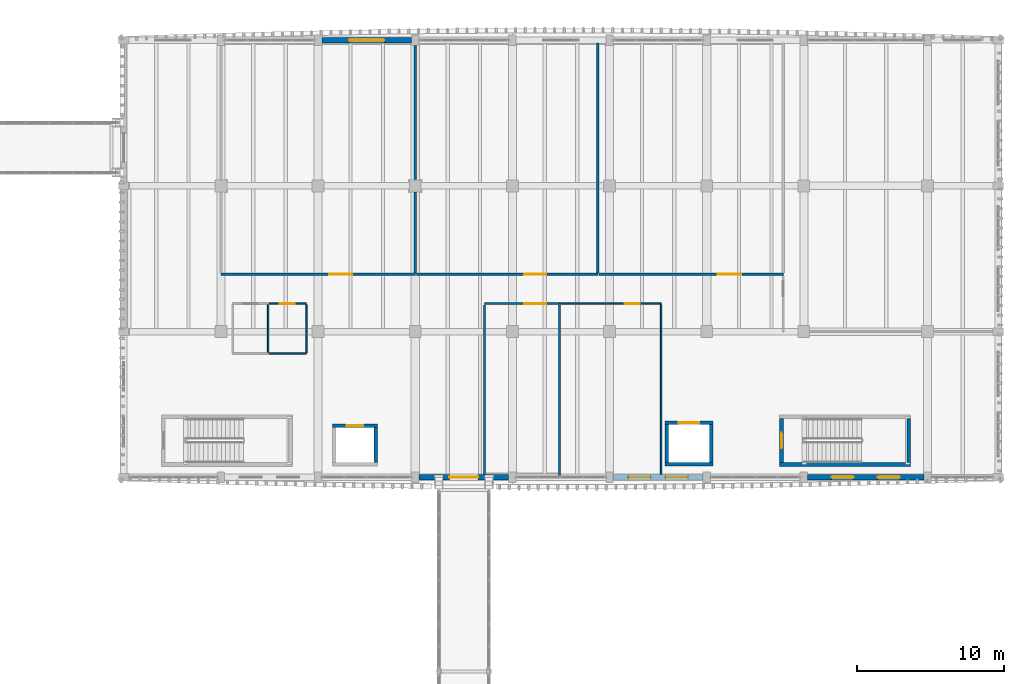
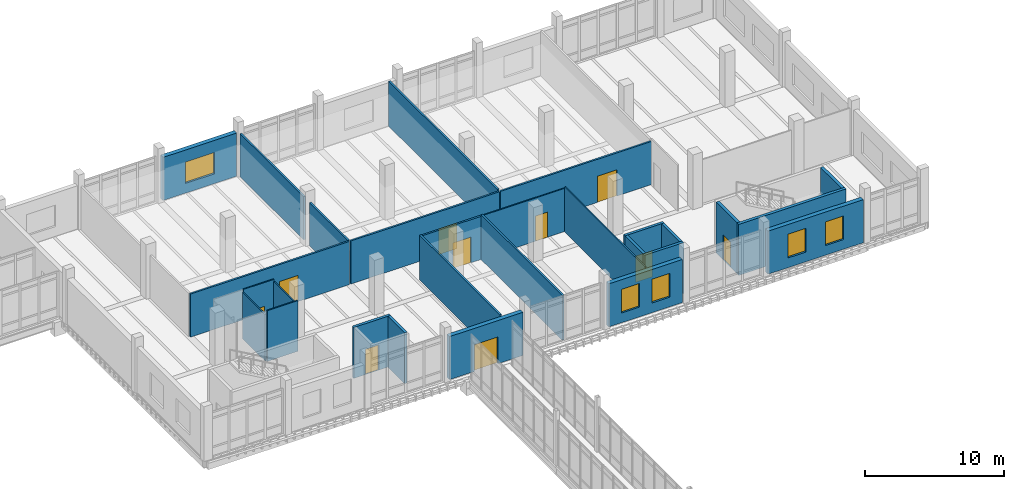
# One storey, part 97 of 125: 28 walls, 10 doors, 5 windows, 15 openings.
"""IFC4 building model written with IfcOpenShell, lengths in metres."""

from ifc_helpers import new_model, si_unit, direction, frame, frame_2d, origin, place, context, subcontext, project, spatial, rectangle, extrude, material, layer, layer_set, type_object, element, fill, save


model = new_model("IFC4")

# Units and contexts
model_context = context("Model", 3, precision=1e-05, world=origin(), true_north=direction((0.0, 1.0)))
body_context = subcontext(model_context, "Body", "Model", "MODEL_VIEW")
ifc_project = project(units=[si_unit("LENGTHUNIT", "METRE"), si_unit("AREAUNIT", "SQUARE_METRE"), si_unit("VOLUMEUNIT", "CUBIC_METRE"), si_unit("PLANEANGLEUNIT", "RADIAN"), si_unit("MASSUNIT", "GRAM", prefix="KILO")], contexts=[model_context])

# Site, building, storey
site_placement = place(None, origin())
site = spatial("IfcSite", under=ifc_project, at=site_placement, CompositionType="ELEMENT")
building_placement = place(site_placement, origin())
building = spatial("IfcBuilding", under=site, at=building_placement, Name="Dornvale Research Institute", CompositionType="ELEMENT")
storey_placement = place(building_placement, frame((0.0, 0.0, 5.39990234375)))
storey = spatial("IfcBuildingStorey", under=building, at=storey_placement, Name="L01", CompositionType="ELEMENT", Elevation=5.39990234375)

# Wall, opening, door
ifc_material_1 = material(Name="Acoustic Insulated Double-Stud Laboratory Partition")
ifc_layer_1 = layer(ifc_material_1, 0.14990234375)
ifc_layer_set_1 = layer_set([ifc_layer_1], Name="Acoustic Insulated Double-Stud Laboratory Partition")
wall_type_1 = type_object("IfcWallType", Name="Partition_Lab_150", PredefinedType="PARTITIONING", material=ifc_layer_set_1)
wall_1_placement = place(storey_placement, frame((125.39990234375, 106.199951171875, 0.0), z_axis=(0.0, 0.0, 1.0), x_axis=(1.0, 0.0, 0.0)))
wall_1 = element("IfcWall", 1, at=wall_1_placement, inside=storey, type_object=wall_type_1, Name="L01 V4 interior partition #187", PredefinedType="PARTITIONING", context=body_context, shape_type="SweptSolid", body=[
    extrude(rectangle(XDim=13.2001953125, YDim=0.14990234375, at=frame_2d((6.60009765625, 0.0))), origin(), (0.0, 0.0, 1.0), 3.780029296875),
])
opening_1_placement = place(wall_1_placement, frame((7.3701171875, 0.0, 0.0)))
opening_1 = element("IfcOpeningElement", 2, at=opening_1_placement, cuts=wall_1, Name="Opening ID-05", PredefinedType="OPENING", context=body_context, shape_type="SweptSolid", body=[
    extrude(rectangle(XDim=1.56005859375, YDim=2.300048828125, at=frame_2d((0.780029296875, 1.14990234375))), frame((0.0, 0.08984375, 0.0), z_axis=(0.0, -1.0, 0.0), x_axis=(1.0, 0.0, 0.0)), (0.0, 0.0, 1.0), 0.179931640625),
])
ifc_material_2 = material(Name="Insulated Fire-Rated Hollow Metal Door Assembly")
door_type_1 = type_object("IfcDoorType", Name="Door_WetLab_1560x2300", OperationType="SINGLE_SWING_LEFT", PredefinedType="DOOR", material=ifc_material_2)
door_1_placement = place(opening_1_placement, origin())
door_1 = element("IfcDoor", 3, at=door_1_placement, inside=storey, type_object=door_type_1, Name="L01 Organic Chemistry Synthesis Laboratory door #77", OperationType="SINGLE_SWING_RIGHT", OverallHeight=2.300048828125, OverallWidth=1.56005859375, PredefinedType="DOOR", context=body_context, shape_type="SweptSolid", body=[
    extrude(rectangle(XDim=1.56005859375, YDim=2.300048828125, at=frame_2d((0.780029296875, 1.14990234375))), frame((0.0, 0.02490234375, 0.0), z_axis=(0.0, -1.0, 0.0), x_axis=(1.0, 0.0, 0.0)), (0.0, 0.0, 1.0), 0.050048828125),
])
fill(opening_1, door_1)

# Walls
wall_2_placement = place(storey_placement, frame((138.60009765625, 106.2900390625, 0.0), z_axis=(0.0, 0.0, 1.0), x_axis=(0.0, 1.0, 0.0)))
element("IfcWall", 4, at=wall_2_placement, inside=storey, type_object=wall_type_1, Name="L01 V4 interior partition #190", PredefinedType="PARTITIONING", context=body_context, shape_type="SweptSolid", body=[
    extrude(rectangle(XDim=5.489990234375, YDim=0.14990234375, at=frame_2d((2.7451171875, 0.0))), origin(), (0.0, 0.0, 1.0), 3.780029296875),
])
wall_3_placement = place(storey_placement, frame((138.60009765625, 112.6201171875, 0.0), z_axis=(0.0, 0.0, 1.0), x_axis=(0.0, 1.0, 0.0)))
element("IfcWall", 5, at=wall_3_placement, inside=storey, type_object=wall_type_1, Name="L01 V4 interior partition #191", PredefinedType="PARTITIONING", context=body_context, shape_type="SweptSolid", body=[
    extrude(rectangle(XDim=9.10986328125, YDim=0.14990234375, at=frame_2d((4.554931640625, 0.0))), origin(), (0.0, 0.0, 1.0), 3.780029296875),
])

# Wall, opening, door
wall_4_placement = place(storey_placement, frame((138.68994140625, 106.199951171875, 0.0), z_axis=(0.0, 0.0, 1.0), x_axis=(1.0, 0.0, 0.0)))
wall_4 = element("IfcWall", 6, at=wall_4_placement, inside=storey, type_object=wall_type_1, Name="L01 V4 interior partition #192", PredefinedType="PARTITIONING", context=body_context, shape_type="SweptSolid", body=[
    extrude(rectangle(XDim=12.31005859375, YDim=0.14990234375, at=frame_2d((6.155029296875, 0.0))), origin(), (0.0, 0.0, 1.0), 3.780029296875),
])
opening_2_placement = place(wall_4_placement, frame((7.31005859375, 0.0, 0.0)))
opening_2 = element("IfcOpeningElement", 7, at=opening_2_placement, cuts=wall_4, Name="Opening ID-06", PredefinedType="OPENING", context=body_context, shape_type="SweptSolid", body=[
    extrude(rectangle(XDim=1.5, YDim=2.25, at=frame_2d((0.75, 1.125))), frame((0.0, 0.08984375, 0.0), z_axis=(0.0, -1.0, 0.0), x_axis=(1.0, 0.0, 0.0)), (0.0, 0.0, 1.0), 0.179931640625),
])
ifc_material_3 = material(Name="Insulated Fire-Rated Hollow Metal Door Assembly")
door_type_2 = type_object("IfcDoorType", Name="Door_WetLab_1500x2250", OperationType="SINGLE_SWING_LEFT", PredefinedType="DOOR", material=ifc_material_3)
door_2_placement = place(opening_2_placement, origin())
door_2 = element("IfcDoor", 8, at=door_2_placement, inside=storey, type_object=door_type_2, Name="L01 Analytical Chromatography Core Laboratory door #78", OperationType="SINGLE_SWING_LEFT", OverallHeight=2.25, OverallWidth=1.5, PredefinedType="DOOR", context=body_context, shape_type="SweptSolid", body=[
    extrude(rectangle(XDim=1.5, YDim=2.25, at=frame_2d((0.75, 1.125))), frame((0.0, 0.02490234375, 0.0), z_axis=(0.0, -1.0, 0.0), x_axis=(1.0, 0.0, 0.0)), (0.0, 0.0, 1.0), 0.050048828125),
])
fill(opening_2, door_2)

# Wall
wall_5_placement = place(storey_placement, frame((151.0, 106.2900390625, 0.0), z_axis=(0.0, 0.0, 1.0), x_axis=(0.0, 1.0, 0.0)))
element("IfcWall", 9, at=wall_5_placement, inside=storey, type_object=wall_type_1, Name="L01 V4 interior partition #193", PredefinedType="PARTITIONING", context=body_context, shape_type="SweptSolid", body=[
    extrude(rectangle(XDim=15.614990234375, YDim=0.14990234375, at=frame_2d((7.8076171875, 0.0))), origin(), (0.0, 0.0, 1.0), 3.93017578125),
])

# Wall, opening, door
wall_6_placement = place(storey_placement, frame((151.090087890625, 106.199951171875, 0.0), z_axis=(0.0, 0.0, 1.0), x_axis=(1.0, 0.0, 0.0)))
wall_6 = element("IfcWall", 10, at=wall_6_placement, inside=storey, type_object=wall_type_1, Name="L01 V4 interior partition #194", PredefinedType="PARTITIONING", context=body_context, shape_type="SweptSolid", body=[
    extrude(rectangle(XDim=12.510009765625, YDim=0.14990234375, at=frame_2d((6.2548828125, 0.0))), origin(), (0.0, 0.0, 1.0), 3.780029296875),
])
opening_3_placement = place(wall_6_placement, frame((8.050048828125, 0.0, 0.0)))
opening_3 = element("IfcOpeningElement", 11, at=opening_3_placement, cuts=wall_6, Name="Opening ID-04", PredefinedType="OPENING", context=body_context, shape_type="SweptSolid", body=[
    extrude(rectangle(XDim=1.6201171875, YDim=2.300048828125, at=frame_2d((0.81005859375, 1.14990234375))), frame((0.0, 0.08984375, 0.0), z_axis=(0.0, -1.0, 0.0), x_axis=(1.0, 0.0, 0.0)), (0.0, 0.0, 1.0), 0.179931640625),
])
ifc_material_4 = material(Name="Insulated Fire-Rated Hollow Metal Door Assembly")
door_type_3 = type_object("IfcDoorType", Name="Door_WetLab_1620x2300", OperationType="SINGLE_SWING_LEFT", PredefinedType="DOOR", material=ifc_material_4)
door_3_placement = place(opening_3_placement, origin())
door_3 = element("IfcDoor", 12, at=door_3_placement, inside=storey, type_object=door_type_3, Name="L01 Tissue Culture BSL-2 Suite door #79", OperationType="SINGLE_SWING_RIGHT", OverallHeight=2.300048828125, OverallWidth=1.6201171875, PredefinedType="DOOR", context=body_context, shape_type="SweptSolid", body=[
    extrude(rectangle(XDim=1.6201171875, YDim=2.300048828125, at=frame_2d((0.81005859375, 1.14990234375))), frame((0.0, 0.02490234375, 0.0), z_axis=(0.0, -1.0, 0.0), x_axis=(1.0, 0.0, 0.0)), (0.0, 0.0, 1.0), 0.050048828125),
])
fill(opening_3, door_3)

wall_7_placement = place(storey_placement, frame((143.300048828125, 104.199951171875, 0.0), z_axis=(0.0, 0.0, 1.0), x_axis=(1.0, 0.0, 0.0)))
wall_7 = element("IfcWall", 13, at=wall_7_placement, inside=storey, type_object=wall_type_1, Name="L01 V4 interior partition #199", PredefinedType="PARTITIONING", context=body_context, shape_type="SweptSolid", body=[
    extrude(rectangle(XDim=5.099853515625, YDim=0.14990234375, at=frame_2d((2.5498046875, 0.0))), origin(), (0.0, 0.0, 1.0), 3.780029296875),
])
opening_4_placement = place(wall_7_placement, frame((2.699951171875, 0.0, 0.0)))
opening_4 = element("IfcOpeningElement", 14, at=opening_4_placement, cuts=wall_7, Name="Opening ID-06", PredefinedType="OPENING", context=body_context, shape_type="SweptSolid", body=[
    extrude(rectangle(XDim=1.5, YDim=2.25, at=frame_2d((0.75, 1.125))), frame((0.0, 0.08984375, 0.0), z_axis=(0.0, -1.0, 0.0), x_axis=(1.0, 0.0, 0.0)), (0.0, 0.0, 1.0), 0.179931640625),
])
door_4_placement = place(opening_4_placement, origin())
door_4 = element("IfcDoor", 15, at=door_4_placement, inside=storey, type_object=door_type_2, Name="L01 Laboratory Instrument Support Room L01 door #81", OperationType="SINGLE_SWING_RIGHT", OverallHeight=2.25, OverallWidth=1.5, PredefinedType="DOOR", context=body_context, shape_type="SweptSolid", body=[
    extrude(rectangle(XDim=1.5, YDim=2.25, at=frame_2d((0.75, 1.125))), frame((0.0, 0.02490234375, 0.0), z_axis=(0.0, -1.0, 0.0), x_axis=(1.0, 0.0, 0.0)), (0.0, 0.0, 1.0), 0.050048828125),
])
fill(opening_4, door_4)

# Walls
wall_8_placement = place(storey_placement, frame((143.300048828125, 92.594970703125, 0.0), z_axis=(0.0, 0.0, 1.0), x_axis=(0.0, 1.0, 0.0)))
element("IfcWall", 16, at=wall_8_placement, inside=storey, type_object=wall_type_1, Name="L01 V4 interior partition #200", PredefinedType="PARTITIONING", context=body_context, shape_type="SweptSolid", body=[
    extrude(rectangle(XDim=11.51513671875, YDim=0.14990234375, at=frame_2d((5.757568359375, 0.0))), origin(), (0.0, 0.0, 1.0), 3.93017578125),
])
wall_9_placement = place(storey_placement, frame((148.39990234375, 92.43994140625, 0.0), z_axis=(0.0, 0.0, 1.0), x_axis=(0.0, 1.0, 0.0)))
element("IfcWall", 17, at=wall_9_placement, inside=storey, type_object=wall_type_1, Name="L01 V4 interior partition #201", PredefinedType="PARTITIONING", context=body_context, shape_type="SweptSolid", body=[
    extrude(rectangle(XDim=11.670166015625, YDim=0.14990234375, at=frame_2d((5.8349609375, 0.0))), origin(), (0.0, 0.0, 1.0), 3.93017578125),
])
ifc_material_5 = material(Name="Acoustic Insulated Double-Stud Laboratory Partition")
ifc_layer_2 = layer(ifc_material_5, 0.10009765625)
ifc_layer_set_2 = layer_set([ifc_layer_2], Name="Acoustic Insulated Double-Stud Laboratory Partition")
wall_type_2 = type_object("IfcWallType", Name="Partition_Office_100", PredefinedType="PARTITIONING", material=ifc_layer_set_2)
wall_10_placement = place(storey_placement, frame((128.60009765625, 100.864990234375, 0.0), z_axis=(0.0, 0.0, 1.0), x_axis=(0.0, 1.0, 0.0)))
element("IfcWall", 18, at=wall_10_placement, inside=storey, type_object=wall_type_2, Name="L01 V4 interior partition #183", PredefinedType="PARTITIONING", context=body_context, shape_type="SweptSolid", body=[
    extrude(rectangle(XDim=3.27001953125, YDim=0.10009765625, at=frame_2d((1.635009765625, 0.0))), origin(), (0.0, 0.0, 1.0), 4.065185546875),
])
wall_11_placement = place(storey_placement, frame((128.6650390625, 100.800048828125, 0.0), z_axis=(0.0, 0.0, 1.0), x_axis=(1.0, 0.0, 0.0)))
element("IfcWall", 19, at=wall_11_placement, inside=storey, type_object=wall_type_2, Name="L01 V4 interior partition #184", PredefinedType="PARTITIONING", context=body_context, shape_type="SweptSolid", body=[
    extrude(rectangle(XDim=2.534912109375, YDim=0.10009765625, at=frame_2d((1.267578125, 0.0))), origin(), (0.0, 0.0, 1.0), 4.440185546875),
])

# Wall, opening, door
wall_12_placement = place(storey_placement, frame((128.6650390625, 104.199951171875, 0.0), z_axis=(0.0, 0.0, 1.0), x_axis=(1.0, 0.0, 0.0)))
wall_12 = element("IfcWall", 20, at=wall_12_placement, inside=storey, type_object=wall_type_2, Name="L01 V4 interior partition #185", PredefinedType="PARTITIONING", context=body_context, shape_type="SweptSolid", body=[
    extrude(rectangle(XDim=2.534912109375, YDim=0.10009765625, at=frame_2d((1.267578125, 0.0))), origin(), (0.0, 0.0, 1.0), 4.2451171875),
])
opening_5_placement = place(wall_12_placement, frame((0.735107421875, 0.0, 0.0)))
opening_5 = element("IfcOpeningElement", 21, at=opening_5_placement, cuts=wall_12, Name="Opening ID-24", PredefinedType="OPENING", context=body_context, shape_type="SweptSolid", body=[
    extrude(rectangle(XDim=1.0, YDim=2.14990234375, at=frame_2d((0.5, 1.074951171875))), frame((0.0, 0.06494140625, 0.0), z_axis=(0.0, -1.0, 0.0), x_axis=(1.0, 0.0, 0.0)), (0.0, 0.0, 1.0), 0.130126953125),
])
ifc_material_6 = material(Name="Phenolic-Faced Solid-Core Laboratory Door Assembly")
door_type_4 = type_object("IfcDoorType", Name="Door_AccWC_1000x2150", OperationType="SINGLE_SWING_LEFT", PredefinedType="DOOR", material=ifc_material_6)
door_5_placement = place(opening_5_placement, origin())
door_5 = element("IfcDoor", 22, at=door_5_placement, inside=storey, type_object=door_type_4, Name="L01 Wet Wing Female and Accessible Restroom L01 door #76", OperationType="SINGLE_SWING_LEFT", OverallHeight=2.14990234375, OverallWidth=1.0, PredefinedType="DOOR", context=body_context, shape_type="SweptSolid", body=[
    extrude(rectangle(XDim=1.0, YDim=2.14990234375, at=frame_2d((0.5, 1.074951171875))), frame((0.0, 0.02490234375, 0.0), z_axis=(0.0, -1.0, 0.0), x_axis=(1.0, 0.0, 0.0)), (0.0, 0.0, 1.0), 0.050048828125),
])
fill(opening_5, door_5)

# Wall
wall_13_placement = place(storey_placement, frame((131.199951171875, 100.864990234375, 0.0), z_axis=(0.0, 0.0, 1.0), x_axis=(0.0, 1.0, 0.0)))
element("IfcWall", 23, at=wall_13_placement, inside=storey, type_object=wall_type_2, Name="L01 V4 interior partition #186", PredefinedType="PARTITIONING", context=body_context, shape_type="SweptSolid", body=[
    extrude(rectangle(XDim=3.27001953125, YDim=0.10009765625, at=frame_2d((1.635009765625, 0.0))), origin(), (0.0, 0.0, 1.0), 4.065185546875),
])

# Wall, opening, door
wall_14_placement = place(storey_placement, frame((148.4150390625, 104.199951171875, 0.0), z_axis=(0.0, 0.0, 1.0), x_axis=(1.0, 0.0, 0.0)))
wall_14 = element("IfcWall", 24, at=wall_14_placement, inside=storey, type_object=wall_type_2, Name="L01 V4 interior partition #202", PredefinedType="PARTITIONING", context=body_context, shape_type="SweptSolid", body=[
    extrude(rectangle(XDim=6.885009765625, YDim=0.10009765625, at=frame_2d((3.4423828125, 0.0))), origin(), (0.0, 0.0, 1.0), 3.780029296875),
])
opening_6_placement = place(wall_14_placement, frame((4.425048828125, 0.0, 0.0)))
opening_6 = element("IfcOpeningElement", 25, at=opening_6_placement, cuts=wall_14, Name="Opening ID-20", PredefinedType="OPENING", context=body_context, shape_type="SweptSolid", body=[
    extrude(rectangle(XDim=1.02001953125, YDim=2.199951171875, at=frame_2d((0.510009765625, 1.10009765625))), frame((0.0, 0.06494140625, 0.0), z_axis=(0.0, -1.0, 0.0), x_axis=(1.0, 0.0, 0.0)), (0.0, 0.0, 1.0), 0.130126953125),
])
ifc_material_7 = material(Name="Phenolic-Faced Solid-Core Laboratory Door Assembly")
door_type_5 = type_object("IfcDoorType", Name="Door_WriteUp_1020x2200", OperationType="SINGLE_SWING_LEFT", PredefinedType="DOOR", material=ifc_material_7)
door_6_placement = place(opening_6_placement, origin())
door_6 = element("IfcDoor", 26, at=door_6_placement, inside=storey, type_object=door_type_5, Name="L01 Wet Laboratory Write-Up Bays L01 door #82", OperationType="SINGLE_SWING_LEFT", OverallHeight=2.199951171875, OverallWidth=1.02001953125, PredefinedType="DOOR", context=body_context, shape_type="SweptSolid", body=[
    extrude(rectangle(XDim=1.02001953125, YDim=2.199951171875, at=frame_2d((0.510009765625, 1.10009765625))), frame((0.0, 0.02490234375, 0.0), z_axis=(0.0, -1.0, 0.0), x_axis=(1.0, 0.0, 0.0)), (0.0, 0.0, 1.0), 0.050048828125),
])
fill(opening_6, door_6)

# Walls
wall_15_placement = place(storey_placement, frame((155.300048828125, 92.594970703125, 0.0), z_axis=(0.0, 0.0, 1.0), x_axis=(0.0, 1.0, 0.0)))
element("IfcWall", 27, at=wall_15_placement, inside=storey, type_object=wall_type_2, Name="L01 V4 interior partition #203", PredefinedType="PARTITIONING", context=body_context, shape_type="SweptSolid", body=[
    extrude(rectangle(XDim=11.5400390625, YDim=0.10009765625, at=frame_2d((5.77001953125, 0.0))), origin(), (0.0, 0.0, 1.0), 3.93017578125),
])
ifc_material_8 = material(Name="Concrete f'c 45 MPa (C35/45)", Category="concrete")
ifc_layer_3 = layer(ifc_material_8, 0.25)
ifc_layer_set_3 = layer_set([ifc_layer_3], Name="Concrete f'c 45 MPa (C35/45)")
wall_type_3 = type_object("IfcWallType", Name="ShearWall_Core_250", PredefinedType="SHEAR", material=ifc_layer_set_3)
wall_16_placement = place(storey_placement, frame((163.35009765625, 93.27490234375, 0.0), z_axis=(0.0, 0.0, 1.0), x_axis=(1.0, 0.0, 0.0)))
element("IfcWall", 28, at=wall_16_placement, inside=storey, type_object=wall_type_3, Name="L01 ST-4 shaft shear wall south", PredefinedType="SHEAR", context=body_context, shape_type="SweptSolid", body=[
    extrude(rectangle(XDim=8.89990234375, YDim=0.25, at=frame_2d((4.449951171875, 0.0))), origin(), (0.0, 0.0, 1.0), 4.460205078125),
])

# Wall, opening, door
wall_17_placement = place(storey_placement, frame((163.47509765625, 93.39990234375, 0.0), z_axis=(0.0, 0.0, 1.0), x_axis=(0.0, 1.0, 0.0)))
wall_17 = element("IfcWall", 29, at=wall_17_placement, inside=storey, type_object=wall_type_3, Name="L01 ST-4 shaft shear wall west", PredefinedType="SHEAR", context=body_context, shape_type="SweptSolid", body=[
    extrude(rectangle(XDim=3.0, YDim=0.25, at=frame_2d((1.5, 0.0))), origin(), (0.0, 0.0, 1.0), 4.460205078125),
])
opening_7_placement = place(wall_17_placement, frame((0.9599609375, 0.0, 0.0)))
opening_7 = element("IfcOpeningElement", 30, at=opening_7_placement, cuts=wall_17, Name="Opening SD-02", PredefinedType="OPENING", context=body_context, shape_type="SweptSolid", body=[
    extrude(rectangle(XDim=1.080078125, YDim=2.199951171875, at=frame_2d((0.5400390625, 1.10009765625))), frame((0.0, 0.139892578125, 0.0), z_axis=(0.0, -1.0, 0.0), x_axis=(1.0, 0.0, 0.0)), (0.0, 0.0, 1.0), 0.280029296875),
])
ifc_material_9 = material(Name="Insulated Fire-Rated Hollow Metal Door Assembly")
door_type_6 = type_object("IfcDoorType", Name="Door_Stair_1080x2200", OperationType="SINGLE_SWING_LEFT", PredefinedType="DOOR", material=ifc_material_9)
door_7_placement = place(opening_7_placement, origin())
door_7 = element("IfcDoor", 31, at=door_7_placement, inside=storey, type_object=door_type_6, Name="L01 ST-4 exit stair door #35", OperationType="SINGLE_SWING_RIGHT", OverallHeight=2.199951171875, OverallWidth=1.080078125, PredefinedType="DOOR", context=body_context, shape_type="SweptSolid", body=[
    extrude(rectangle(XDim=1.080078125, YDim=2.199951171875, at=frame_2d((0.5400390625, 1.10009765625))), frame((0.0, 0.02490234375, 0.0), z_axis=(0.0, -1.0, 0.0), x_axis=(1.0, 0.0, 0.0)), (0.0, 0.0, 1.0), 0.050048828125),
])
fill(opening_7, door_7)

# Wall
wall_18_placement = place(storey_placement, frame((172.125, 93.39990234375, 0.0), z_axis=(0.0, 0.0, 1.0), x_axis=(0.0, 1.0, 0.0)))
element("IfcWall", 32, at=wall_18_placement, inside=storey, type_object=wall_type_3, Name="L01 ST-4 shaft shear wall east", PredefinedType="SHEAR", context=body_context, shape_type="SweptSolid", body=[
    extrude(rectangle(XDim=3.0, YDim=0.25, at=frame_2d((1.5, 0.0))), origin(), (0.0, 0.0, 1.0), 4.460205078125),
])

# Wall, opening, door
ifc_material_10 = material(Name="Concrete f'c 45 MPa (C35/45)", Category="concrete")
ifc_layer_4 = layer(ifc_material_10, 0.219970703125)
ifc_layer_set_4 = layer_set([ifc_layer_4], Name="Concrete f'c 45 MPa (C35/45)")
wall_type_4 = type_object("IfcWallType", Name="ShearWall_Shaft_220", PredefinedType="SHEAR", material=ifc_layer_set_4)
wall_19_placement = place(storey_placement, frame((132.97998046875, 95.909912109375, 0.0), z_axis=(0.0, 0.0, 1.0), x_axis=(1.0, 0.0, 0.0)))
wall_19 = element("IfcWall", 33, at=wall_19_placement, inside=storey, type_object=wall_type_4, Name="L01 LP2 elevator shaft wall north", PredefinedType="SHEAR", context=body_context, shape_type="SweptSolid", body=[
    extrude(rectangle(XDim=3.0400390625, YDim=0.219970703125, at=frame_2d((1.52001953125, 0.0))), origin(), (0.0, 0.0, 1.0), 4.460205078125),
])
opening_8_placement = place(wall_19_placement, frame((0.969970703125, 0.0, 0.0)))
opening_8 = element("IfcOpeningElement", 34, at=opening_8_placement, cuts=wall_19, Name="Opening LD-02", PredefinedType="OPENING", context=body_context, shape_type="SweptSolid", body=[
    extrude(rectangle(XDim=1.10009765625, YDim=2.199951171875, at=frame_2d((0.550048828125, 1.10009765625))), frame((0.0, 0.125, 0.0), z_axis=(0.0, -1.0, 0.0), x_axis=(1.0, 0.0, 0.0)), (0.0, 0.0, 1.0), 0.25),
])
ifc_material_11 = material(Name="Brushed Stainless Steel Sliding Elevator Landing Door", Category="steel")
door_type_7 = type_object("IfcDoorType", Name="Door_LiftLanding_Pass_1100x2200", OperationType="SINGLE_SWING_LEFT", PredefinedType="DOOR", material=ifc_material_11)
door_8_placement = place(opening_8_placement, origin())
door_8 = element("IfcDoor", 35, at=door_8_placement, inside=storey, type_object=door_type_7, Name="L01 LP2 sliding elevator landing door #39", OperationType="SLIDING_TO_LEFT", OverallHeight=2.199951171875, OverallWidth=1.10009765625, PredefinedType="DOOR", context=body_context, shape_type="SweptSolid", body=[
    extrude(rectangle(XDim=1.10009765625, YDim=2.199951171875, at=frame_2d((0.550048828125, 1.10009765625))), frame((0.0, 0.02490234375, 0.0), z_axis=(0.0, -1.0, 0.0), x_axis=(1.0, 0.0, 0.0)), (0.0, 0.0, 1.0), 0.050048828125),
])
fill(opening_8, door_8)

# Walls
wall_20_placement = place(storey_placement, frame((135.909912109375, 93.39990234375, 0.0), z_axis=(0.0, 0.0, 1.0), x_axis=(0.0, 1.0, 0.0)))
element("IfcWall", 36, at=wall_20_placement, inside=storey, type_object=wall_type_4, Name="L01 LP2 elevator shaft wall east", PredefinedType="SHEAR", context=body_context, shape_type="SweptSolid", body=[
    extrude(rectangle(XDim=2.400146484375, YDim=0.219970703125, at=frame_2d((1.2001953125, 0.0))), origin(), (0.0, 0.0, 1.0), 4.460205078125),
])
wall_21_placement = place(storey_placement, frame((155.580078125, 93.2900390625, 0.0), z_axis=(0.0, 0.0, 1.0), x_axis=(1.0, 0.0, 0.0)))
element("IfcWall", 37, at=wall_21_placement, inside=storey, type_object=wall_type_4, Name="L01 LS1 elevator shaft wall south", PredefinedType="SHEAR", context=body_context, shape_type="SweptSolid", body=[
    extrude(rectangle(XDim=3.239990234375, YDim=0.219970703125, at=frame_2d((1.6201171875, 0.0))), origin(), (0.0, 0.0, 1.0), 4.460205078125),
])

# Wall, opening, door
wall_22_placement = place(storey_placement, frame((155.580078125, 96.110107421875, 0.0), z_axis=(0.0, 0.0, 1.0), x_axis=(1.0, 0.0, 0.0)))
wall_22 = element("IfcWall", 38, at=wall_22_placement, inside=storey, type_object=wall_type_4, Name="L01 LS1 elevator shaft wall north", PredefinedType="SHEAR", context=body_context, shape_type="SweptSolid", body=[
    extrude(rectangle(XDim=3.239990234375, YDim=0.219970703125, at=frame_2d((1.6201171875, 0.0))), origin(), (0.0, 0.0, 1.0), 4.460205078125),
])
opening_9_placement = place(wall_22_placement, frame((0.919921875, 0.0, 0.0)))
opening_9 = element("IfcOpeningElement", 39, at=opening_9_placement, cuts=wall_22, Name="Opening LD-03", PredefinedType="OPENING", context=body_context, shape_type="SweptSolid", body=[
    extrude(rectangle(XDim=1.39990234375, YDim=2.300048828125, at=frame_2d((0.699951171875, 1.14990234375))), frame((0.0, 0.125, 0.0), z_axis=(0.0, -1.0, 0.0), x_axis=(1.0, 0.0, 0.0)), (0.0, 0.0, 1.0), 0.25),
])
ifc_material_12 = material(Name="Brushed Stainless Steel Sliding Elevator Landing Door", Category="steel")
door_type_8 = type_object("IfcDoorType", Name="Door_LiftLanding_Serv_1400x2300", OperationType="SINGLE_SWING_LEFT", PredefinedType="DOOR", material=ifc_material_12)
door_9_placement = place(opening_9_placement, origin())
door_9 = element("IfcDoor", 40, at=door_9_placement, inside=storey, type_object=door_type_8, Name="L01 LS1 sliding elevator landing door #47", OperationType="DOUBLE_DOOR_SLIDING", OverallHeight=2.300048828125, OverallWidth=1.39990234375, PredefinedType="DOOR", context=body_context, shape_type="SweptSolid", body=[
    extrude(rectangle(XDim=1.39990234375, YDim=2.300048828125, at=frame_2d((0.699951171875, 1.14990234375))), frame((0.0, 0.02490234375, 0.0), z_axis=(0.0, -1.0, 0.0), x_axis=(1.0, 0.0, 0.0)), (0.0, 0.0, 1.0), 0.050048828125),
])
fill(opening_9, door_9)

# Walls
for number, where, z_axis, x_axis, name in (
    (41, (155.68994140625, 93.39990234375, 0.0), (0.0, 0.0, 1.0), (0.0, 1.0, 0.0), "L01 LS1 elevator shaft wall west"),
    (42, (158.7099609375, 93.39990234375, 0.0), (0.0, 0.0, 1.0), (0.0, 1.0, 0.0), "L01 LS1 elevator shaft wall east"),
):
    element("IfcWall", number, at=place(storey_placement, frame(where, z_axis=z_axis, x_axis=x_axis)), inside=storey, type_object=wall_type_4, Name=name, PredefinedType="SHEAR", context=body_context, shape_type="SweptSolid", body=[
        extrude(rectangle(XDim=2.60009765625, YDim=0.219970703125, at=frame_2d((1.300048828125, 0.0))), origin(), (0.0, 0.0, 1.0), 4.460205078125),
    ])

# Wall, opening, window
ifc_material_13 = material(Name="Catalan Pressed Brick and Insulated Cavity Assembly", Category="masonry")
ifc_layer_5 = layer(ifc_material_13, 0.360107421875)
ifc_layer_set_5 = layer_set([ifc_layer_5], Name="Catalan Pressed Brick and Insulated Cavity Assembly")
wall_type_5 = type_object("IfcWallType", Name="StandardWall_BrickCavity_360", PredefinedType="STANDARD", material=ifc_layer_set_5)
wall_23_placement = place(storey_placement, frame((132.25, 122.10009765625, 0.0), z_axis=(0.0, 0.0, 1.0), x_axis=(1.0, 0.0, 0.0)))
wall_23 = element("IfcWall", 43, at=wall_23_placement, inside=storey, type_object=wall_type_5, Name="L01 V4 north exterior wall #205", PredefinedType="STANDARD", context=body_context, shape_type="SweptSolid", body=[
    extrude(rectangle(XDim=6.10009765625, YDim=0.360107421875, at=frame_2d((3.050048828125, 0.0))), origin(), (0.0, 0.0, 1.0), 3.780029296875),
])
opening_10_placement = place(wall_23_placement, frame((1.85009765625, 0.0, 0.85009765625)))
opening_10 = element("IfcOpeningElement", 44, at=opening_10_placement, cuts=wall_23, Name="Opening W-33", PredefinedType="OPENING", context=body_context, shape_type="SweptSolid", body=[
    extrude(rectangle(XDim=2.39990234375, YDim=1.8798828125, at=frame_2d((1.199951171875, 0.93994140625))), frame((0.0, 0.195068359375, 0.0), z_axis=(0.0, -1.0, 0.0), x_axis=(1.0, 0.0, 0.0)), (0.0, 0.0, 1.0), 0.39013671875),
])
ifc_material_14 = material(Name="Low-E Argon Double Insulating Glazing Unit", Category="glass")
window_type_1 = type_object("IfcWindowType", Name="Window_Alu_2400x1880_33", PartitioningType="DOUBLE_PANEL_VERTICAL", PredefinedType="WINDOW", material=ifc_material_14)
window_1_placement = place(opening_10_placement, origin())
window_1 = element("IfcWindow", 45, at=window_1_placement, inside=storey, type_object=window_type_1, Name="L01 V4 facade window W-33 #272", OverallHeight=1.8798828125, OverallWidth=2.39990234375, PartitioningType="DOUBLE_PANEL_VERTICAL", PredefinedType="WINDOW", context=body_context, shape_type="SweptSolid", body=[
    extrude(rectangle(XDim=2.39990234375, YDim=1.8798828125, at=frame_2d((1.199951171875, 0.93994140625))), frame((0.0, 0.030029296875, 0.0), z_axis=(0.0, -1.0, 0.0), x_axis=(1.0, 0.0, 0.0)), (0.0, 0.0, 1.0), 0.06005859375),
])
fill(opening_10, window_1)

# Wall, openings, windows
wall_24_placement = place(storey_placement, frame((173.14990234375, 92.39990234375, 0.0), z_axis=(0.0, 0.0, 1.0), x_axis=(-1.0, 0.0, 0.0)))
wall_24 = element("IfcWall", 46, at=wall_24_placement, inside=storey, type_object=wall_type_5, Name="L01 V4 south exterior wall #212", PredefinedType="STANDARD", context=body_context, shape_type="SweptSolid", body=[
    extrude(rectangle(XDim=7.89990234375, YDim=0.360107421875, at=frame_2d((3.949951171875, 0.0))), origin(), (0.0, 0.0, 1.0), 3.780029296875),
])
opening_11_placement = place(wall_24_placement, frame((1.63330078125, 0.0, 0.85009765625)))
opening_11 = element("IfcOpeningElement", 47, at=opening_11_placement, cuts=wall_24, Name="Opening W-39", PredefinedType="OPENING", context=body_context, shape_type="SweptSolid", body=[
    extrude(rectangle(XDim=1.5, YDim=2.080078125, at=frame_2d((0.75, 1.0400390625))), frame((0.0, 0.195068359375, 0.0), z_axis=(0.0, -1.0, 0.0), x_axis=(1.0, 0.0, 0.0)), (0.0, 0.0, 1.0), 0.39013671875),
])
opening_12_placement = place(wall_24_placement, frame((4.7666015625, 0.0, 0.85009765625)))
opening_12 = element("IfcOpeningElement", 48, at=opening_12_placement, cuts=wall_24, Name="Opening W-39", PredefinedType="OPENING", context=body_context, shape_type="SweptSolid", body=[
    extrude(rectangle(XDim=1.5, YDim=2.080078125, at=frame_2d((0.75, 1.0400390625))), frame((0.0, 0.195068359375, 0.0), z_axis=(0.0, -1.0, 0.0), x_axis=(1.0, 0.0, 0.0)), (0.0, 0.0, 1.0), 0.39013671875),
])
ifc_material_15 = material(Name="Low-E Argon Double Insulating Glazing Unit", Category="glass")
window_type_2 = type_object("IfcWindowType", Name="Window_Alu_1500x2080_39", PartitioningType="SINGLE_PANEL", PredefinedType="WINDOW", material=ifc_material_15)
window_2_placement = place(opening_11_placement, origin())
window_2 = element("IfcWindow", 49, at=window_2_placement, inside=storey, type_object=window_type_2, Name="L01 V4 facade window W-39 #282", OverallHeight=2.080078125, OverallWidth=1.5, PartitioningType="SINGLE_PANEL", PredefinedType="WINDOW", context=body_context, shape_type="SweptSolid", body=[
    extrude(rectangle(XDim=1.5, YDim=2.080078125, at=frame_2d((0.75, 1.0400390625))), frame((0.0, 0.030029296875, 0.0), z_axis=(0.0, -1.0, 0.0), x_axis=(1.0, 0.0, 0.0)), (0.0, 0.0, 1.0), 0.06005859375),
])
fill(opening_11, window_2)
window_3_placement = place(opening_12_placement, origin())
window_3 = element("IfcWindow", 50, at=window_3_placement, inside=storey, type_object=window_type_2, Name="L01 V4 facade window W-39 #283", OverallHeight=2.080078125, OverallWidth=1.5, PartitioningType="SINGLE_PANEL", PredefinedType="WINDOW", context=body_context, shape_type="SweptSolid", body=[
    extrude(rectangle(XDim=1.5, YDim=2.080078125, at=frame_2d((0.75, 1.0400390625))), frame((0.0, 0.030029296875, 0.0), z_axis=(0.0, -1.0, 0.0), x_axis=(1.0, 0.0, 0.0)), (0.0, 0.0, 1.0), 0.06005859375),
])
fill(opening_12, window_3)

wall_25_placement = place(storey_placement, frame((158.14990234375, 92.39990234375, 0.0), z_axis=(0.0, 0.0, 1.0), x_axis=(-1.0, 0.0, 0.0)))
wall_25 = element("IfcWall", 51, at=wall_25_placement, inside=storey, type_object=wall_type_5, Name="L01 V4 south exterior wall #213", PredefinedType="STANDARD", context=body_context, shape_type="SweptSolid", body=[
    extrude(rectangle(XDim=6.099853515625, YDim=0.360107421875, at=frame_2d((3.0498046875, 0.0))), origin(), (0.0, 0.0, 1.0), 3.780029296875),
])
opening_13_placement = place(wall_25_placement, frame((1.033203125, 0.0, 0.85009765625)))
opening_13 = element("IfcOpeningElement", 52, at=opening_13_placement, cuts=wall_25, Name="Opening W-39", PredefinedType="OPENING", context=body_context, shape_type="SweptSolid", body=[
    extrude(rectangle(XDim=1.5, YDim=2.080078125, at=frame_2d((0.75, 1.0400390625))), frame((0.0, 0.195068359375, 0.0), z_axis=(0.0, -1.0, 0.0), x_axis=(1.0, 0.0, 0.0)), (0.0, 0.0, 1.0), 0.39013671875),
])
opening_14_placement = place(wall_25_placement, frame((3.566650390625, 0.0, 0.85009765625)))
opening_14 = element("IfcOpeningElement", 53, at=opening_14_placement, cuts=wall_25, Name="Opening W-39", PredefinedType="OPENING", context=body_context, shape_type="SweptSolid", body=[
    extrude(rectangle(XDim=1.5, YDim=2.080078125, at=frame_2d((0.75, 1.0400390625))), frame((0.0, 0.195068359375, 0.0), z_axis=(0.0, -1.0, 0.0), x_axis=(1.0, 0.0, 0.0)), (0.0, 0.0, 1.0), 0.39013671875),
])
window_4_placement = place(opening_13_placement, origin())
window_4 = element("IfcWindow", 54, at=window_4_placement, inside=storey, type_object=window_type_2, Name="L01 V4 facade window W-39 #284", OverallHeight=2.080078125, OverallWidth=1.5, PartitioningType="SINGLE_PANEL", PredefinedType="WINDOW", context=body_context, shape_type="SweptSolid", body=[
    extrude(rectangle(XDim=1.5, YDim=2.080078125, at=frame_2d((0.75, 1.0400390625))), frame((0.0, 0.030029296875, 0.0), z_axis=(0.0, -1.0, 0.0), x_axis=(1.0, 0.0, 0.0)), (0.0, 0.0, 1.0), 0.06005859375),
])
fill(opening_13, window_4)
window_5_placement = place(opening_14_placement, origin())
window_5 = element("IfcWindow", 55, at=window_5_placement, inside=storey, type_object=window_type_2, Name="L01 V4 facade window W-39 #285", OverallHeight=2.080078125, OverallWidth=1.5, PartitioningType="SINGLE_PANEL", PredefinedType="WINDOW", context=body_context, shape_type="SweptSolid", body=[
    extrude(rectangle(XDim=1.5, YDim=2.080078125, at=frame_2d((0.75, 1.0400390625))), frame((0.0, 0.030029296875, 0.0), z_axis=(0.0, -1.0, 0.0), x_axis=(1.0, 0.0, 0.0)), (0.0, 0.0, 1.0), 0.06005859375),
])
fill(opening_14, window_5)

# Wall, opening, door
wall_26_placement = place(storey_placement, frame((144.949951171875, 92.39990234375, 0.0), z_axis=(0.0, 0.0, 1.0), x_axis=(-1.0, 0.0, 0.0)))
wall_26 = element("IfcWall", 56, at=wall_26_placement, inside=storey, type_object=wall_type_5, Name="L01 V4 south exterior wall #214", PredefinedType="STANDARD", context=body_context, shape_type="SweptSolid", body=[
    extrude(rectangle(XDim=6.099853515625, YDim=0.360107421875, at=frame_2d((3.0498046875, 0.0))), origin(), (0.0, 0.0, 1.0), 3.780029296875),
])
opening_15_placement = place(wall_26_placement, frame((2.074951171875, 0.0, 0.0)))
opening_15 = element("IfcOpeningElement", 57, at=opening_15_placement, cuts=wall_26, Name="Opening BD-01", PredefinedType="OPENING", context=body_context, shape_type="SweptSolid", body=[
    extrude(rectangle(XDim=1.949951171875, YDim=2.35009765625, at=frame_2d((0.97509765625, 1.175048828125))), frame((0.0, 0.195068359375, 0.0), z_axis=(0.0, -1.0, 0.0), x_axis=(1.0, 0.0, 0.0)), (0.0, 0.0, 1.0), 0.39013671875),
])
ifc_material_16 = material(Name="Galvanized Hollow Metal Insulated Door Assembly")
door_type_9 = type_object("IfcDoorType", Name="Door_BridgeJoint_1950x2350", OperationType="SINGLE_SWING_LEFT", PredefinedType="DOOR", material=ifc_material_16)
door_10_placement = place(opening_15_placement, origin())
door_10 = element("IfcDoor", 58, at=door_10_placement, inside=storey, type_object=door_type_9, Name="L01 V4 skybridge door BD-01 #26", OperationType="DOUBLE_DOOR_SINGLE_SWING", OverallHeight=2.35009765625, OverallWidth=1.949951171875, PredefinedType="DOOR", context=body_context, shape_type="SweptSolid", body=[
    extrude(rectangle(XDim=1.949951171875, YDim=2.35009765625, at=frame_2d((0.97509765625, 1.175048828125))), frame((0.0, 0.02490234375, 0.0), z_axis=(0.0, -1.0, 0.0), x_axis=(1.0, 0.0, 0.0)), (0.0, 0.0, 1.0), 0.050048828125),
])
fill(opening_15, door_10)

save(model, "model.ifc")
